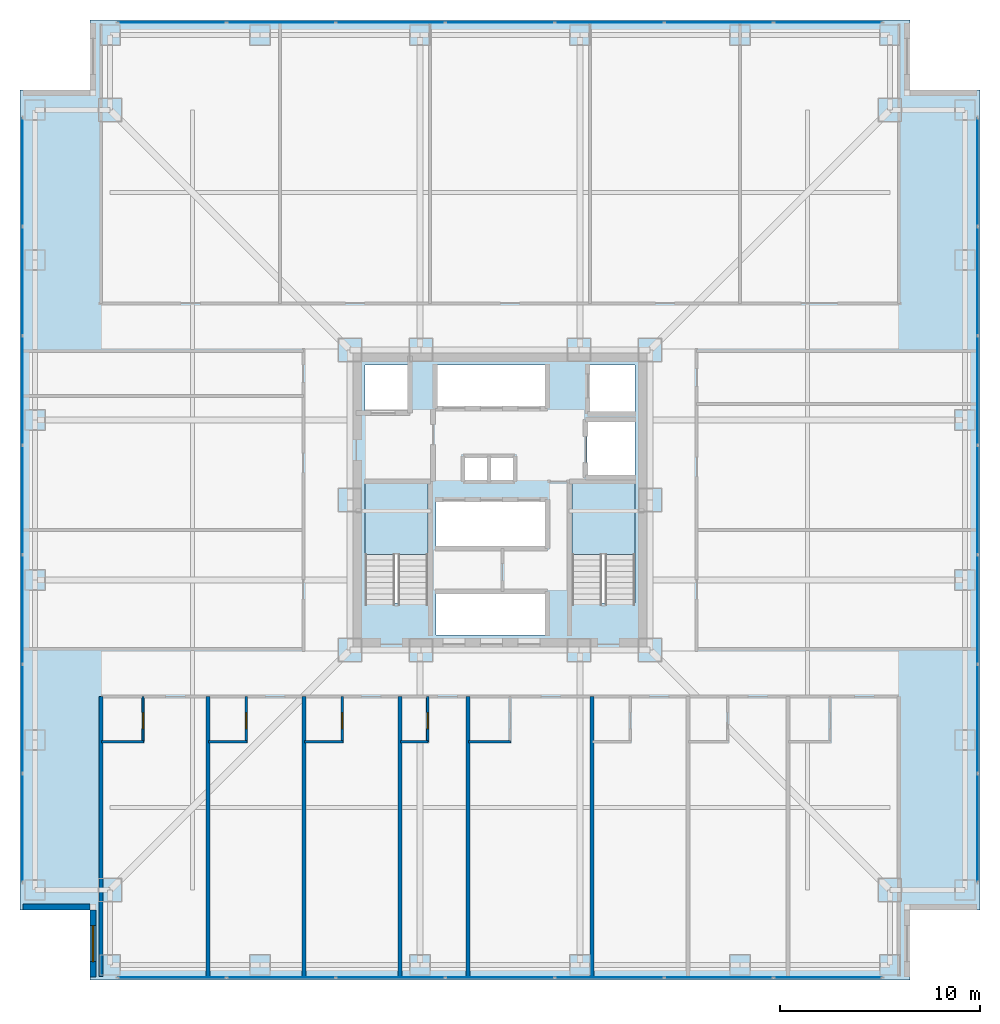
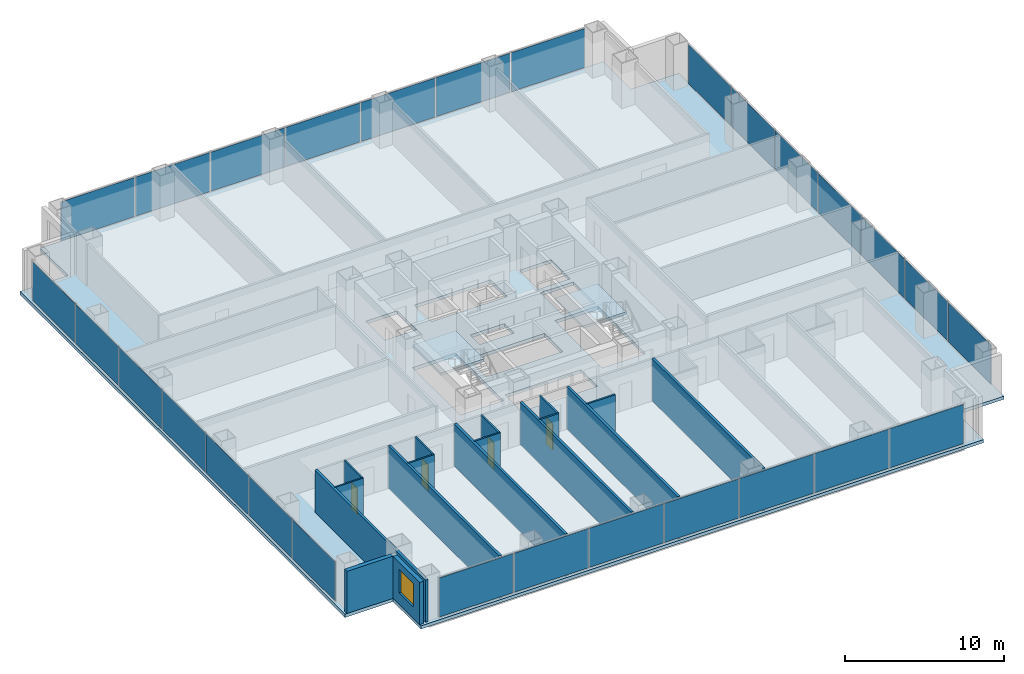
# One storey, part 14 of 20: 28 plates, 17 walls, 4 doors, 3 slabs, 1 window, 5 openings, 6 elements without a shape of their own.
"""IFC4 building model written with IfcOpenShell, lengths in metres."""

from ifc_helpers import new_model, si_unit, direction, frame, frame_2d, origin, origin_2d, place, context, subcontext, project, spatial, polyline, rectangle, outline, extrude, material, layer, layer_set, type_object, element, fill, aggregate, save


model = new_model("IFC4")

# Units and contexts
model_context = context("Model", 3, precision=1e-05, world=origin(), true_north=direction((0.0, 1.0)))
body_context = subcontext(model_context, "Body", "Model", "MODEL_VIEW")
ifc_project = project(units=[si_unit("LENGTHUNIT", "METRE"), si_unit("AREAUNIT", "SQUARE_METRE"), si_unit("VOLUMEUNIT", "CUBIC_METRE"), si_unit("PLANEANGLEUNIT", "RADIAN"), si_unit("MASSUNIT", "GRAM", prefix="KILO")], contexts=[model_context])

# Site, building, storey
site_placement = place(None, origin())
site = spatial("IfcSite", under=ifc_project, at=site_placement, CompositionType="ELEMENT")
building_placement = place(site_placement, origin())
building = spatial("IfcBuilding", under=site, at=building_placement, Name="Trevonay Congress Spire", CompositionType="ELEMENT")
storey_placement = place(building_placement, frame((0.0, 0.0, 62.0)))
storey = spatial("IfcBuildingStorey", under=building, at=storey_placement, Name="L15", CompositionType="ELEMENT", Elevation=62.0)

# Curtain wall, plates
ifc_material_1 = material(Name="Pale Anodised Aluminium EN AW-6063-T6", Category="aluminium")
ifc_layer_1 = layer(ifc_material_1, 0.179931640625, Name="Pale Anodised Aluminium EN AW-6063-T6")
ifc_layer_set_1 = layer_set([ifc_layer_1], Name="Pale Anodised Aluminium EN AW-6063-T6")
curtain_wall_type = type_object("IfcCurtainWallType", Name="CW-SYS02-HOTEL-PALE-METAL", PredefinedType="NOTDEFINED", material=ifc_layer_set_1)
curtain_wall_1_placement = place(storey_placement, origin())
curtain_wall_1 = element("IfcCurtainWall", 1, at=curtain_wall_1_placement, inside=storey, type_object=curtain_wall_type, Name="L15 S unitised curtain wall", PredefinedType="NOTDEFINED")
ifc_material_2 = material(Name="Insulated Low-E Vision Glass IGU", Category="glass")
ifc_layer_2 = layer(ifc_material_2, 0.035888671875, Name="Insulated Low-E Vision Glass IGU")
ifc_layer_set_2 = layer_set([ifc_layer_2], Name="Insulated Low-E Vision Glass IGU")
plate_type = type_object("IfcPlateType", Name="CW-PANEL-IGU36-SILVER", PredefinedType="CURTAIN_PANEL", material=ifc_layer_set_2)
plate_1_placement = place(storey_placement, frame((-16.399169921875, -23.8798828125, 0.1201171875), z_axis=(0.0, 0.0, 1.0), x_axis=(1.0, 0.0, 0.0)))
plate_1 = element("IfcPlate", 2, at=plate_1_placement, type_object=plate_type, Name="CW02 panel 1.1", PredefinedType="CURTAIN_PANEL", context=body_context, shape_type="SweptSolid", body=[
    extrude(rectangle(XDim=5.38134765625, YDim=0.035888671875, at=origin_2d()), origin(), (0.0, 0.0, 1.0), 3.010009765625),
])
plate_2_placement = place(storey_placement, frame((-10.94287109375, -23.8798828125, 0.1201171875), z_axis=(0.0, 0.0, 1.0), x_axis=(1.0, 0.0, 0.0)))
plate_2 = element("IfcPlate", 3, at=plate_2_placement, type_object=plate_type, Name="CW02 panel 2.1", PredefinedType="CURTAIN_PANEL", context=body_context, shape_type="SweptSolid", body=[
    extrude(rectangle(XDim=5.411376953125, YDim=0.035888671875, at=origin_2d()), origin(), (0.0, 0.0, 1.0), 3.010009765625),
])
plate_3_placement = place(storey_placement, frame((-5.471435546875, -23.8798828125, 0.1201171875), z_axis=(0.0, 0.0, 1.0), x_axis=(1.0, 0.0, 0.0)))
plate_3 = element("IfcPlate", 4, at=plate_3_placement, type_object=plate_type, Name="CW02 panel 3.1", PredefinedType="CURTAIN_PANEL", context=body_context, shape_type="SweptSolid", body=[
    extrude(rectangle(XDim=5.411376953125, YDim=0.035888671875, at=origin_2d()), origin(), (0.0, 0.0, 1.0), 3.010009765625),
])
plate_4_placement = place(storey_placement, frame((0.0, -23.8798828125, 0.1201171875), z_axis=(0.0, 0.0, 1.0), x_axis=(1.0, 0.0, 0.0)))
plate_4 = element("IfcPlate", 5, at=plate_4_placement, type_object=plate_type, Name="CW02 panel 4.1", PredefinedType="CURTAIN_PANEL", context=body_context, shape_type="SweptSolid", body=[
    extrude(rectangle(XDim=5.411376953125, YDim=0.035888671875, at=origin_2d()), origin(), (0.0, 0.0, 1.0), 3.010009765625),
])
plate_5_placement = place(storey_placement, frame((5.471435546875, -23.8798828125, 0.1201171875), z_axis=(0.0, 0.0, 1.0), x_axis=(1.0, 0.0, 0.0)))
plate_5 = element("IfcPlate", 6, at=plate_5_placement, type_object=plate_type, Name="CW02 panel 5.1", PredefinedType="CURTAIN_PANEL", context=body_context, shape_type="SweptSolid", body=[
    extrude(rectangle(XDim=5.411376953125, YDim=0.035888671875, at=origin_2d()), origin(), (0.0, 0.0, 1.0), 3.010009765625),
])
plate_6_placement = place(storey_placement, frame((10.94287109375, -23.8798828125, 0.1201171875), z_axis=(0.0, 0.0, 1.0), x_axis=(1.0, 0.0, 0.0)))
plate_6 = element("IfcPlate", 7, at=plate_6_placement, type_object=plate_type, Name="CW02 panel 6.1", PredefinedType="CURTAIN_PANEL", context=body_context, shape_type="SweptSolid", body=[
    extrude(rectangle(XDim=5.411376953125, YDim=0.035888671875, at=origin_2d()), origin(), (0.0, 0.0, 1.0), 3.010009765625),
])
plate_7_placement = place(storey_placement, frame((16.399169921875, -23.8798828125, 0.1201171875), z_axis=(0.0, 0.0, 1.0), x_axis=(1.0, 0.0, 0.0)))
plate_7 = element("IfcPlate", 8, at=plate_7_placement, type_object=plate_type, Name="CW02 panel 7.1", PredefinedType="CURTAIN_PANEL", context=body_context, shape_type="SweptSolid", body=[
    extrude(rectangle(XDim=5.38134765625, YDim=0.035888671875, at=origin_2d()), origin(), (0.0, 0.0, 1.0), 3.010009765625),
])
aggregate(curtain_wall_1, [plate_1, plate_2, plate_3, plate_4, plate_5, plate_6, plate_7])

curtain_wall_2_placement = place(storey_placement, origin())
curtain_wall_2 = element("IfcCurtainWall", 9, at=curtain_wall_2_placement, inside=storey, type_object=curtain_wall_type, Name="L15 N unitised curtain wall", PredefinedType="NOTDEFINED")
plate_8_placement = place(storey_placement, frame((-16.399169921875, 23.8798828125, 0.1201171875), z_axis=(0.0, 0.0, 1.0), x_axis=(1.0, 0.0, 0.0)))
plate_8 = element("IfcPlate", 10, at=plate_8_placement, type_object=plate_type, Name="CW02 panel 1.1", PredefinedType="CURTAIN_PANEL", context=body_context, shape_type="SweptSolid", body=[
    extrude(rectangle(XDim=5.38134765625, YDim=0.035888671875, at=origin_2d()), origin(), (0.0, 0.0, 1.0), 3.010009765625),
])
plate_9_placement = place(storey_placement, frame((-10.94287109375, 23.8798828125, 0.1201171875), z_axis=(0.0, 0.0, 1.0), x_axis=(1.0, 0.0, 0.0)))
plate_9 = element("IfcPlate", 11, at=plate_9_placement, type_object=plate_type, Name="CW02 panel 2.1", PredefinedType="CURTAIN_PANEL", context=body_context, shape_type="SweptSolid", body=[
    extrude(rectangle(XDim=5.411376953125, YDim=0.035888671875, at=origin_2d()), origin(), (0.0, 0.0, 1.0), 3.010009765625),
])
plate_10_placement = place(storey_placement, frame((-5.471435546875, 23.8798828125, 0.1201171875), z_axis=(0.0, 0.0, 1.0), x_axis=(1.0, 0.0, 0.0)))
plate_10 = element("IfcPlate", 12, at=plate_10_placement, type_object=plate_type, Name="CW02 panel 3.1", PredefinedType="CURTAIN_PANEL", context=body_context, shape_type="SweptSolid", body=[
    extrude(rectangle(XDim=5.411376953125, YDim=0.035888671875, at=origin_2d()), origin(), (0.0, 0.0, 1.0), 3.010009765625),
])
plate_11_placement = place(storey_placement, frame((0.0, 23.8798828125, 0.1201171875), z_axis=(0.0, 0.0, 1.0), x_axis=(1.0, 0.0, 0.0)))
plate_11 = element("IfcPlate", 13, at=plate_11_placement, type_object=plate_type, Name="CW02 panel 4.1", PredefinedType="CURTAIN_PANEL", context=body_context, shape_type="SweptSolid", body=[
    extrude(rectangle(XDim=5.411376953125, YDim=0.035888671875, at=origin_2d()), origin(), (0.0, 0.0, 1.0), 3.010009765625),
])
plate_12_placement = place(storey_placement, frame((5.471435546875, 23.8798828125, 0.1201171875), z_axis=(0.0, 0.0, 1.0), x_axis=(1.0, 0.0, 0.0)))
plate_12 = element("IfcPlate", 14, at=plate_12_placement, type_object=plate_type, Name="CW02 panel 5.1", PredefinedType="CURTAIN_PANEL", context=body_context, shape_type="SweptSolid", body=[
    extrude(rectangle(XDim=5.411376953125, YDim=0.035888671875, at=origin_2d()), origin(), (0.0, 0.0, 1.0), 3.010009765625),
])
plate_13_placement = place(storey_placement, frame((10.94287109375, 23.8798828125, 0.1201171875), z_axis=(0.0, 0.0, 1.0), x_axis=(1.0, 0.0, 0.0)))
plate_13 = element("IfcPlate", 15, at=plate_13_placement, type_object=plate_type, Name="CW02 panel 6.1", PredefinedType="CURTAIN_PANEL", context=body_context, shape_type="SweptSolid", body=[
    extrude(rectangle(XDim=5.411376953125, YDim=0.035888671875, at=origin_2d()), origin(), (0.0, 0.0, 1.0), 3.010009765625),
])
plate_14_placement = place(storey_placement, frame((16.399169921875, 23.8798828125, 0.1201171875), z_axis=(0.0, 0.0, 1.0), x_axis=(1.0, 0.0, 0.0)))
plate_14 = element("IfcPlate", 16, at=plate_14_placement, type_object=plate_type, Name="CW02 panel 7.1", PredefinedType="CURTAIN_PANEL", context=body_context, shape_type="SweptSolid", body=[
    extrude(rectangle(XDim=5.38134765625, YDim=0.035888671875, at=origin_2d()), origin(), (0.0, 0.0, 1.0), 3.010009765625),
])
aggregate(curtain_wall_2, [plate_8, plate_9, plate_10, plate_11, plate_12, plate_13, plate_14])

curtain_wall_3_placement = place(storey_placement, origin())
curtain_wall_3 = element("IfcCurtainWall", 17, at=curtain_wall_3_placement, inside=storey, type_object=curtain_wall_type, Name="L15 W unitised curtain wall", PredefinedType="NOTDEFINED")
plate_15_placement = place(storey_placement, frame((-23.8798828125, -16.399169921875, 0.1201171875), z_axis=(0.0, 0.0, 1.0), x_axis=(0.0, 1.0, 0.0)))
plate_15 = element("IfcPlate", 18, at=plate_15_placement, type_object=plate_type, Name="CW02 panel 1.1", PredefinedType="CURTAIN_PANEL", context=body_context, shape_type="SweptSolid", body=[
    extrude(rectangle(XDim=5.38134765625, YDim=0.035888671875, at=origin_2d()), origin(), (0.0, 0.0, 1.0), 3.010009765625),
])
plate_16_placement = place(storey_placement, frame((-23.8798828125, -10.94287109375, 0.1201171875), z_axis=(0.0, 0.0, 1.0), x_axis=(0.0, 1.0, 0.0)))
plate_16 = element("IfcPlate", 19, at=plate_16_placement, type_object=plate_type, Name="CW02 panel 2.1", PredefinedType="CURTAIN_PANEL", context=body_context, shape_type="SweptSolid", body=[
    extrude(rectangle(XDim=5.411376953125, YDim=0.035888671875, at=origin_2d()), origin(), (0.0, 0.0, 1.0), 3.010009765625),
])
plate_17_placement = place(storey_placement, frame((-23.8798828125, -5.471435546875, 0.1201171875), z_axis=(0.0, 0.0, 1.0), x_axis=(0.0, 1.0, 0.0)))
plate_17 = element("IfcPlate", 20, at=plate_17_placement, type_object=plate_type, Name="CW02 panel 3.1", PredefinedType="CURTAIN_PANEL", context=body_context, shape_type="SweptSolid", body=[
    extrude(rectangle(XDim=5.411376953125, YDim=0.035888671875, at=origin_2d()), origin(), (0.0, 0.0, 1.0), 3.010009765625),
])
plate_18_placement = place(storey_placement, frame((-23.8798828125, 0.0, 0.1201171875), z_axis=(0.0, 0.0, 1.0), x_axis=(0.0, 1.0, 0.0)))
plate_18 = element("IfcPlate", 21, at=plate_18_placement, type_object=plate_type, Name="CW02 panel 4.1", PredefinedType="CURTAIN_PANEL", context=body_context, shape_type="SweptSolid", body=[
    extrude(rectangle(XDim=5.411376953125, YDim=0.035888671875, at=origin_2d()), origin(), (0.0, 0.0, 1.0), 3.010009765625),
])
plate_19_placement = place(storey_placement, frame((-23.8798828125, 5.471435546875, 0.1201171875), z_axis=(0.0, 0.0, 1.0), x_axis=(0.0, 1.0, 0.0)))
plate_19 = element("IfcPlate", 22, at=plate_19_placement, type_object=plate_type, Name="CW02 panel 5.1", PredefinedType="CURTAIN_PANEL", context=body_context, shape_type="SweptSolid", body=[
    extrude(rectangle(XDim=5.411376953125, YDim=0.035888671875, at=origin_2d()), origin(), (0.0, 0.0, 1.0), 3.010009765625),
])
plate_20_placement = place(storey_placement, frame((-23.8798828125, 10.94287109375, 0.1201171875), z_axis=(0.0, 0.0, 1.0), x_axis=(0.0, 1.0, 0.0)))
plate_20 = element("IfcPlate", 23, at=plate_20_placement, type_object=plate_type, Name="CW02 panel 6.1", PredefinedType="CURTAIN_PANEL", context=body_context, shape_type="SweptSolid", body=[
    extrude(rectangle(XDim=5.411376953125, YDim=0.035888671875, at=origin_2d()), origin(), (0.0, 0.0, 1.0), 3.010009765625),
])
plate_21_placement = place(storey_placement, frame((-23.8798828125, 16.399169921875, 0.1201171875), z_axis=(0.0, 0.0, 1.0), x_axis=(0.0, 1.0, 0.0)))
plate_21 = element("IfcPlate", 24, at=plate_21_placement, type_object=plate_type, Name="CW02 panel 7.1", PredefinedType="CURTAIN_PANEL", context=body_context, shape_type="SweptSolid", body=[
    extrude(rectangle(XDim=5.38134765625, YDim=0.035888671875, at=origin_2d()), origin(), (0.0, 0.0, 1.0), 3.010009765625),
])
aggregate(curtain_wall_3, [plate_15, plate_16, plate_17, plate_18, plate_19, plate_20, plate_21])

curtain_wall_4_placement = place(storey_placement, origin())
curtain_wall_4 = element("IfcCurtainWall", 25, at=curtain_wall_4_placement, inside=storey, type_object=curtain_wall_type, Name="L15 E unitised curtain wall", PredefinedType="NOTDEFINED")
plate_22_placement = place(storey_placement, frame((23.8798828125, -16.399169921875, 0.1201171875), z_axis=(0.0, 0.0, 1.0), x_axis=(0.0, 1.0, 0.0)))
plate_22 = element("IfcPlate", 26, at=plate_22_placement, type_object=plate_type, Name="CW02 panel 1.1", PredefinedType="CURTAIN_PANEL", context=body_context, shape_type="SweptSolid", body=[
    extrude(rectangle(XDim=5.38134765625, YDim=0.035888671875, at=origin_2d()), origin(), (0.0, 0.0, 1.0), 3.010009765625),
])
plate_23_placement = place(storey_placement, frame((23.8798828125, -10.94287109375, 0.1201171875), z_axis=(0.0, 0.0, 1.0), x_axis=(0.0, 1.0, 0.0)))
plate_23 = element("IfcPlate", 27, at=plate_23_placement, type_object=plate_type, Name="CW02 panel 2.1", PredefinedType="CURTAIN_PANEL", context=body_context, shape_type="SweptSolid", body=[
    extrude(rectangle(XDim=5.411376953125, YDim=0.035888671875, at=origin_2d()), origin(), (0.0, 0.0, 1.0), 3.010009765625),
])
plate_24_placement = place(storey_placement, frame((23.8798828125, -5.471435546875, 0.1201171875), z_axis=(0.0, 0.0, 1.0), x_axis=(0.0, 1.0, 0.0)))
plate_24 = element("IfcPlate", 28, at=plate_24_placement, type_object=plate_type, Name="CW02 panel 3.1", PredefinedType="CURTAIN_PANEL", context=body_context, shape_type="SweptSolid", body=[
    extrude(rectangle(XDim=5.411376953125, YDim=0.035888671875, at=origin_2d()), origin(), (0.0, 0.0, 1.0), 3.010009765625),
])
plate_25_placement = place(storey_placement, frame((23.8798828125, 0.0, 0.1201171875), z_axis=(0.0, 0.0, 1.0), x_axis=(0.0, 1.0, 0.0)))
plate_25 = element("IfcPlate", 29, at=plate_25_placement, type_object=plate_type, Name="CW02 panel 4.1", PredefinedType="CURTAIN_PANEL", context=body_context, shape_type="SweptSolid", body=[
    extrude(rectangle(XDim=5.411376953125, YDim=0.035888671875, at=origin_2d()), origin(), (0.0, 0.0, 1.0), 3.010009765625),
])
plate_26_placement = place(storey_placement, frame((23.8798828125, 5.471435546875, 0.1201171875), z_axis=(0.0, 0.0, 1.0), x_axis=(0.0, 1.0, 0.0)))
plate_26 = element("IfcPlate", 30, at=plate_26_placement, type_object=plate_type, Name="CW02 panel 5.1", PredefinedType="CURTAIN_PANEL", context=body_context, shape_type="SweptSolid", body=[
    extrude(rectangle(XDim=5.411376953125, YDim=0.035888671875, at=origin_2d()), origin(), (0.0, 0.0, 1.0), 3.010009765625),
])
plate_27_placement = place(storey_placement, frame((23.8798828125, 10.94287109375, 0.1201171875), z_axis=(0.0, 0.0, 1.0), x_axis=(0.0, 1.0, 0.0)))
plate_27 = element("IfcPlate", 31, at=plate_27_placement, type_object=plate_type, Name="CW02 panel 6.1", PredefinedType="CURTAIN_PANEL", context=body_context, shape_type="SweptSolid", body=[
    extrude(rectangle(XDim=5.411376953125, YDim=0.035888671875, at=origin_2d()), origin(), (0.0, 0.0, 1.0), 3.010009765625),
])
plate_28_placement = place(storey_placement, frame((23.8798828125, 16.399169921875, 0.1201171875), z_axis=(0.0, 0.0, 1.0), x_axis=(0.0, 1.0, 0.0)))
plate_28 = element("IfcPlate", 32, at=plate_28_placement, type_object=plate_type, Name="CW02 panel 7.1", PredefinedType="CURTAIN_PANEL", context=body_context, shape_type="SweptSolid", body=[
    extrude(rectangle(XDim=5.38134765625, YDim=0.035888671875, at=origin_2d()), origin(), (0.0, 0.0, 1.0), 3.010009765625),
])
aggregate(curtain_wall_4, [plate_22, plate_23, plate_24, plate_25, plate_26, plate_27, plate_28])

# Stair, slab
ifc_material_3 = material(Name="Concrete C40/50", Category="concrete")
stair_type_1 = type_object("IfcStairType", Name="STR-ST-1", PredefinedType="HALF_TURN_STAIR", material=ifc_material_3)
stair_1_placement = place(storey_placement, origin())
stair_1 = element("IfcStair", 33, at=stair_1_placement, inside=storey, type_object=stair_type_1, Name="L15 Protected Exit Stair ST-1", PredefinedType="HALF_TURN_STAIR")
ifc_layer_3 = layer(ifc_material_3, 0.199951171875, Name="Concrete C40/50")
ifc_layer_set_3 = layer_set([ifc_layer_3], Name="Concrete C40/50")
slab_type_1 = type_object("IfcSlabType", Name="SLB-STAIR-LAND-200", PredefinedType="LANDING", material=ifc_layer_set_3)
slab_1_placement = place(storey_placement, frame((0.0, 0.0, 1.550048828125)))
slab_1 = element("IfcSlab", 34, at=slab_1_placement, type_object=slab_type_1, Name="ST-1 landing 1", PredefinedType="LANDING", context=body_context, shape_type="SweptSolid", body=[
    extrude(outline(polyline([(-3.60009765625, -2.72998046875), (-3.60009765625, 0.85009765625), (-6.75, 0.85009765625), (-6.75, -2.72998046875), (-3.60009765625, -2.72998046875)])), origin(), (0.0, 0.0, 1.0), 0.199951171875),
])
aggregate(stair_1, [slab_1])

stair_type_2 = type_object("IfcStairType", Name="STR-ST-2", PredefinedType="HALF_TURN_STAIR", material=ifc_material_3)
stair_2_placement = place(storey_placement, origin())
stair_2 = element("IfcStair", 35, at=stair_2_placement, inside=storey, type_object=stair_type_2, Name="L15 Protected Exit Stair ST-2", PredefinedType="HALF_TURN_STAIR")
slab_2_placement = place(storey_placement, frame((0.0, 0.0, 1.550048828125)))
slab_2 = element("IfcSlab", 36, at=slab_2_placement, type_object=slab_type_1, Name="ST-2 landing 1", PredefinedType="LANDING", context=body_context, shape_type="SweptSolid", body=[
    extrude(outline(polyline([(6.75, -2.72998046875), (6.75, 0.85009765625), (3.60009765625, 0.85009765625), (3.60009765625, -2.72998046875), (6.75, -2.72998046875)])), origin(), (0.0, 0.0, 1.0), 0.199951171875),
])
aggregate(stair_2, [slab_2])

# Slab
ifc_layer_4 = layer(ifc_material_3, 0.25, Name="Concrete C40/50")
ifc_layer_set_4 = layer_set([ifc_layer_4], Name="Concrete C40/50")
slab_type_2 = type_object("IfcSlabType", Name="SLB-TOW1-250", PredefinedType="FLOOR", material=ifc_layer_set_4)
slab_3_placement = place(storey_placement, frame((0.0, 0.0, -0.25)))
element("IfcSlab", 37, at=slab_3_placement, inside=storey, type_object=slab_type_2, Name="L15 structural floor slab", PredefinedType="FLOOR", context=body_context, shape_type="SweptSolid", body=[
    extrude(outline(polyline([(-20.5, -24.0), (20.5, -24.0), (20.5, -20.5), (24.0, -20.5), (24.0, 20.5), (20.5, 20.5), (20.5, 24.0), (-20.5, 24.0), (-20.5, 20.5), (-24.0, 20.5), (-24.0, -20.5), (-20.5, -20.5), (-20.5, -24.0)]), holes=[polyline([(-3.60009765625, -5.14990234375), (-3.60009765625, 0.85009765625), (-6.75, 0.85009765625), (-6.75, -5.14990234375), (-3.60009765625, -5.14990234375)]), polyline([(6.75, -5.14990234375), (6.75, 0.85009765625), (3.60009765625, 0.85009765625), (3.60009765625, -5.14990234375), (6.75, -5.14990234375)]), polyline([(-3.199951171875, -6.75), (2.340087890625, -6.75), (2.340087890625, -4.64990234375), (-3.199951171875, -4.64990234375), (-3.199951171875, -6.75)]), polyline([(-3.199951171875, -2.35009765625), (2.340087890625, -2.35009765625), (2.340087890625, -0.050048828125), (-3.199951171875, -0.050048828125), (-3.199951171875, -2.35009765625)]), polyline([(-3.199951171875, 4.64990234375), (2.340087890625, 4.64990234375), (2.340087890625, 6.75), (-3.199951171875, 6.75), (-3.199951171875, 4.64990234375)]), polyline([(-6.75, 4.35009765625), (-4.449951171875, 4.35009765625), (-4.449951171875, 6.75), (-6.75, 6.75), (-6.75, 4.35009765625)]), polyline([(4.449951171875, 4.35009765625), (6.75, 4.35009765625), (6.75, 6.75), (4.449951171875, 6.75), (4.449951171875, 4.35009765625)]), polyline([(4.35009765625, 1.199951171875), (6.75, 1.199951171875), (6.75, 3.949951171875), (4.35009765625, 3.949951171875), (4.35009765625, 1.199951171875)]), polyline([(-1.800048828125, 0.949951171875), (0.699951171875, 0.949951171875), (0.699951171875, 2.14990234375), (-1.800048828125, 2.14990234375), (-1.800048828125, 0.949951171875)])]), origin(), (0.0, 0.0, 1.0), 0.25),
])

# Wall, opening, door
ifc_layer_5 = layer(ifc_material_3, 0.1201171875, Name="Concrete C40/50")
ifc_layer_set_5 = layer_set([ifc_layer_5], Name="Concrete C40/50")
wall_type_1 = type_object("IfcWallType", Name="WAL-BATH-120", PredefinedType="PLUMBINGWALL", material=ifc_layer_set_5)
wall_1_placement = place(storey_placement, frame((-17.85009765625, -12.080078125, 0.0), z_axis=(0.0, 0.0, 1.0), x_axis=(0.0, 1.0, 0.0)))
wall_1 = element("IfcWall", 38, at=wall_1_placement, inside=storey, type_object=wall_type_1, Name="L15 interior wall WH-L15S-BS1", PredefinedType="PLUMBINGWALL", context=body_context, shape_type="SweptSolid", body=[
    extrude(rectangle(XDim=2.25, YDim=0.1201171875, at=frame_2d((1.125, 0.0))), origin(), (0.0, 0.0, 1.0), 3.25),
])
opening_1_placement = place(wall_1_placement, frame((0.64990234375, 0.0, 0.0)))
opening_1 = element("IfcOpeningElement", 39, at=opening_1_placement, cuts=wall_1, Name="Opening D11", PredefinedType="OPENING", context=body_context, shape_type="SweptSolid", body=[
    extrude(rectangle(XDim=0.800048828125, YDim=2.050048828125, at=frame_2d((0.39990234375, 1.02490234375))), frame((0.0, 0.070068359375, 0.0), z_axis=(0.0, -1.0, 0.0), x_axis=(1.0, 0.0, 0.0)), (0.0, 0.0, 1.0), 0.14013671875),
])
door_type = type_object("IfcDoorType", Name="DOR-BATH-80", OperationType="NOTDEFINED", PredefinedType="DOOR", material=ifc_material_1)
door_1_placement = place(opening_1_placement, origin())
door_1 = element("IfcDoor", 40, at=door_1_placement, inside=storey, type_object=door_type, Name="L15 En-suite Bathroom Door", OperationType="SINGLE_SWING_LEFT", OverallHeight=2.050048828125, OverallWidth=0.800048828125, PredefinedType="DOOR", context=body_context, shape_type="SweptSolid", body=[
    extrude(rectangle(XDim=0.800048828125, YDim=2.050048828125, at=frame_2d((0.39990234375, 1.02490234375))), frame((0.0, 0.02490234375, 0.0), z_axis=(0.0, -1.0, 0.0), x_axis=(1.0, 0.0, 0.0)), (0.0, 0.0, 1.0), 0.050048828125),
])
fill(opening_1, door_1)

# Wall
wall_2_placement = place(storey_placement, frame((-19.919921875, -12.080078125, 0.0), z_axis=(0.0, 0.0, 1.0), x_axis=(1.0, 0.0, 0.0)))
element("IfcWall", 41, at=wall_2_placement, inside=storey, type_object=wall_type_1, Name="L15 interior wall WH-L15S-BF1", PredefinedType="PLUMBINGWALL", context=body_context, shape_type="SweptSolid", body=[
    extrude(rectangle(XDim=2.099853515625, YDim=0.1201171875, at=frame_2d((1.0498046875, 0.0))), origin(), (0.0, 0.0, 1.0), 3.25),
])

# Wall, opening, door
wall_3_placement = place(storey_placement, frame((-12.68701171875, -12.080078125, 0.0), z_axis=(0.0, 0.0, 1.0), x_axis=(0.0, 1.0, 0.0)))
wall_3 = element("IfcWall", 42, at=wall_3_placement, inside=storey, type_object=wall_type_1, Name="L15 interior wall WH-L15S-BS2", PredefinedType="PLUMBINGWALL", context=body_context, shape_type="SweptSolid", body=[
    extrude(rectangle(XDim=2.25, YDim=0.1201171875, at=frame_2d((1.125, 0.0))), origin(), (0.0, 0.0, 1.0), 3.25),
])
opening_2_placement = place(wall_3_placement, frame((0.64990234375, 0.0, 0.0)))
opening_2 = element("IfcOpeningElement", 43, at=opening_2_placement, cuts=wall_3, Name="Opening D11", PredefinedType="OPENING", context=body_context, shape_type="SweptSolid", body=[
    extrude(rectangle(XDim=0.800048828125, YDim=2.050048828125, at=frame_2d((0.39990234375, 1.02490234375))), frame((0.0, 0.070068359375, 0.0), z_axis=(0.0, -1.0, 0.0), x_axis=(1.0, 0.0, 0.0)), (0.0, 0.0, 1.0), 0.14013671875),
])
door_2_placement = place(opening_2_placement, origin())
door_2 = element("IfcDoor", 44, at=door_2_placement, inside=storey, type_object=door_type, Name="L15 En-suite Bathroom Door", OperationType="SINGLE_SWING_RIGHT", OverallHeight=2.050048828125, OverallWidth=0.800048828125, PredefinedType="DOOR", context=body_context, shape_type="SweptSolid", body=[
    extrude(rectangle(XDim=0.800048828125, YDim=2.050048828125, at=frame_2d((0.39990234375, 1.02490234375))), frame((0.0, 0.02490234375, 0.0), z_axis=(0.0, -1.0, 0.0), x_axis=(1.0, 0.0, 0.0)), (0.0, 0.0, 1.0), 0.050048828125),
])
fill(opening_2, door_2)

# Wall
wall_4_placement = place(storey_placement, frame((-14.570068359375, -12.080078125, 0.0), z_axis=(0.0, 0.0, 1.0), x_axis=(1.0, 0.0, 0.0)))
element("IfcWall", 45, at=wall_4_placement, inside=storey, type_object=wall_type_1, Name="L15 interior wall WH-L15S-BF2", PredefinedType="PLUMBINGWALL", context=body_context, shape_type="SweptSolid", body=[
    extrude(rectangle(XDim=1.9130859375, YDim=0.1201171875, at=frame_2d((0.95654296875, 0.0))), origin(), (0.0, 0.0, 1.0), 3.25),
])

# Wall, opening, door
wall_5_placement = place(storey_placement, frame((-7.886962890625, -12.080078125, 0.0), z_axis=(0.0, 0.0, 1.0), x_axis=(0.0, 1.0, 0.0)))
wall_5 = element("IfcWall", 46, at=wall_5_placement, inside=storey, type_object=wall_type_1, Name="L15 interior wall WH-L15S-BS3", PredefinedType="PLUMBINGWALL", context=body_context, shape_type="SweptSolid", body=[
    extrude(rectangle(XDim=2.25, YDim=0.1201171875, at=frame_2d((1.125, 0.0))), origin(), (0.0, 0.0, 1.0), 3.25),
])
opening_3_placement = place(wall_5_placement, frame((0.64990234375, 0.0, 0.0)))
opening_3 = element("IfcOpeningElement", 47, at=opening_3_placement, cuts=wall_5, Name="Opening D11", PredefinedType="OPENING", context=body_context, shape_type="SweptSolid", body=[
    extrude(rectangle(XDim=0.800048828125, YDim=2.050048828125, at=frame_2d((0.39990234375, 1.02490234375))), frame((0.0, 0.070068359375, 0.0), z_axis=(0.0, -1.0, 0.0), x_axis=(1.0, 0.0, 0.0)), (0.0, 0.0, 1.0), 0.14013671875),
])
door_3_placement = place(opening_3_placement, origin())
door_3 = element("IfcDoor", 48, at=door_3_placement, inside=storey, type_object=door_type, Name="L15 En-suite Bathroom Door", OperationType="SINGLE_SWING_LEFT", OverallHeight=2.050048828125, OverallWidth=0.800048828125, PredefinedType="DOOR", context=body_context, shape_type="SweptSolid", body=[
    extrude(rectangle(XDim=0.800048828125, YDim=2.050048828125, at=frame_2d((0.39990234375, 1.02490234375))), frame((0.0, 0.02490234375, 0.0), z_axis=(0.0, -1.0, 0.0), x_axis=(1.0, 0.0, 0.0)), (0.0, 0.0, 1.0), 0.050048828125),
])
fill(opening_3, door_3)

# Wall
wall_6_placement = place(storey_placement, frame((-9.77001953125, -12.080078125, 0.0), z_axis=(0.0, 0.0, 1.0), x_axis=(1.0, 0.0, 0.0)))
element("IfcWall", 49, at=wall_6_placement, inside=storey, type_object=wall_type_1, Name="L15 interior wall WH-L15S-BF3", PredefinedType="PLUMBINGWALL", context=body_context, shape_type="SweptSolid", body=[
    extrude(rectangle(XDim=1.9130859375, YDim=0.1201171875, at=frame_2d((0.95654296875, 0.0))), origin(), (0.0, 0.0, 1.0), 3.25),
])

# Wall, opening, door
wall_7_placement = place(storey_placement, frame((-3.618896484375, -12.080078125, 0.0), z_axis=(0.0, 0.0, 1.0), x_axis=(0.0, 1.0, 0.0)))
wall_7 = element("IfcWall", 50, at=wall_7_placement, inside=storey, type_object=wall_type_1, Name="L15 interior wall WH-L15S-BS4", PredefinedType="PLUMBINGWALL", context=body_context, shape_type="SweptSolid", body=[
    extrude(rectangle(XDim=2.25, YDim=0.1201171875, at=frame_2d((1.125, 0.0))), origin(), (0.0, 0.0, 1.0), 3.25),
])
opening_4_placement = place(wall_7_placement, frame((0.64990234375, 0.0, 0.0)))
opening_4 = element("IfcOpeningElement", 51, at=opening_4_placement, cuts=wall_7, Name="Opening D11", PredefinedType="OPENING", context=body_context, shape_type="SweptSolid", body=[
    extrude(rectangle(XDim=0.800048828125, YDim=2.050048828125, at=frame_2d((0.39990234375, 1.02490234375))), frame((0.0, 0.070068359375, 0.0), z_axis=(0.0, -1.0, 0.0), x_axis=(1.0, 0.0, 0.0)), (0.0, 0.0, 1.0), 0.14013671875),
])
door_4_placement = place(opening_4_placement, origin())
door_4 = element("IfcDoor", 52, at=door_4_placement, inside=storey, type_object=door_type, Name="L15 En-suite Bathroom Door", OperationType="SINGLE_SWING_RIGHT", OverallHeight=2.050048828125, OverallWidth=0.800048828125, PredefinedType="DOOR", context=body_context, shape_type="SweptSolid", body=[
    extrude(rectangle(XDim=0.800048828125, YDim=2.050048828125, at=frame_2d((0.39990234375, 1.02490234375))), frame((0.0, 0.02490234375, 0.0), z_axis=(0.0, -1.0, 0.0), x_axis=(1.0, 0.0, 0.0)), (0.0, 0.0, 1.0), 0.050048828125),
])
fill(opening_4, door_4)

# Walls
wall_8_placement = place(storey_placement, frame((-4.969970703125, -12.080078125, 0.0), z_axis=(0.0, 0.0, 1.0), x_axis=(1.0, 0.0, 0.0)))
element("IfcWall", 53, at=wall_8_placement, inside=storey, type_object=wall_type_1, Name="L15 interior wall WH-L15S-BF4", PredefinedType="PLUMBINGWALL", context=body_context, shape_type="SweptSolid", body=[
    extrude(rectangle(XDim=1.380859375, YDim=0.1201171875, at=frame_2d((0.6904296875, 0.0))), origin(), (0.0, 0.0, 1.0), 3.25),
])
wall_9_placement = place(storey_placement, frame((-1.570068359375, -12.080078125, 0.0), z_axis=(0.0, 0.0, 1.0), x_axis=(1.0, 0.0, 0.0)))
element("IfcWall", 54, at=wall_9_placement, inside=storey, type_object=wall_type_1, Name="L15 interior wall WH-L15S-BF5", PredefinedType="PLUMBINGWALL", context=body_context, shape_type="SweptSolid", body=[
    extrude(rectangle(XDim=2.10009765625, YDim=0.1201171875, at=frame_2d((1.050048828125, 0.0))), origin(), (0.0, 0.0, 1.0), 3.25),
])

# Wall, opening, window
ifc_material_4 = material(Name="Precast concrete C40/50", Category="concrete")
ifc_layer_6 = layer(ifc_material_4, 0.300048828125, Name="Precast concrete C40/50")
ifc_layer_set_6 = layer_set([ifc_layer_6], Name="Precast concrete C40/50")
wall_type_2 = type_object("IfcWallType", Name="WAL-EXT-PRECAST-300", PredefinedType="SOLIDWALL", material=ifc_layer_set_6)
wall_10_placement = place(storey_placement, frame((-20.35009765625, -23.85009765625, 0.0), z_axis=(0.0, 0.0, 1.0), x_axis=(0.0, 1.0, 0.0)))
wall_10 = element("IfcWall", 55, at=wall_10_placement, inside=storey, type_object=wall_type_2, Name="L15 SW re-entrant notch exterior wall 1", PredefinedType="SOLIDWALL", context=body_context, shape_type="SweptSolid", body=[
    extrude(rectangle(XDim=3.35009765625, YDim=0.300048828125, at=frame_2d((1.675048828125, 0.0))), origin(), (0.0, 0.0, 1.0), 3.25),
])
opening_5_placement = place(wall_10_placement, frame((0.77490234375, 0.0, 0.89990234375)))
opening_5 = element("IfcOpeningElement", 56, at=opening_5_placement, cuts=wall_10, Name="Opening WN01", PredefinedType="OPENING", context=body_context, shape_type="SweptSolid", body=[
    extrude(rectangle(XDim=1.800048828125, YDim=1.800048828125, at=frame_2d((0.89990234375, 0.89990234375))), frame((0.0, 0.16015625, 0.0), z_axis=(0.0, -1.0, 0.0), x_axis=(1.0, 0.0, 0.0)), (0.0, 0.0, 1.0), 0.320068359375),
])
window_type = type_object("IfcWindowType", Name="WIN-HOTEL-180X180", PartitioningType="SINGLE_PANEL", PredefinedType="WINDOW", material=ifc_material_2)
window_placement = place(opening_5_placement, origin())
window = element("IfcWindow", 57, at=window_placement, inside=storey, type_object=window_type, Name="L15 SW corner notch window", OverallHeight=1.800048828125, OverallWidth=1.800048828125, PartitioningType="SINGLE_PANEL", PredefinedType="WINDOW", context=body_context, shape_type="SweptSolid", body=[
    extrude(rectangle(XDim=1.800048828125, YDim=1.800048828125, at=frame_2d((0.89990234375, 0.89990234375))), frame((0.0, 0.030029296875, 0.0), z_axis=(0.0, -1.0, 0.0), x_axis=(1.0, 0.0, 0.0)), (0.0, 0.0, 1.0), 0.06005859375),
])
fill(opening_5, window)

# Walls
wall_11_placement = place(storey_placement, frame((-23.85009765625, -20.35009765625, 0.0), z_axis=(0.0, 0.0, 1.0), x_axis=(1.0, 0.0, 0.0)))
element("IfcWall", 58, at=wall_11_placement, inside=storey, type_object=wall_type_2, Name="L15 SW re-entrant notch exterior wall 2", PredefinedType="SOLIDWALL", context=body_context, shape_type="SweptSolid", body=[
    extrude(rectangle(XDim=3.35009765625, YDim=0.300048828125, at=frame_2d((1.675048828125, 0.0))), origin(), (0.0, 0.0, 1.0), 3.25),
])
ifc_layer_7 = layer(ifc_material_3, 0.179931640625, Name="Concrete C40/50")
ifc_layer_set_7 = layer_set([ifc_layer_7], Name="Concrete C40/50")
wall_type_3 = type_object("IfcWallType", Name="WAL-HOTEL-180", PredefinedType="PARTITIONING", material=ifc_layer_set_7)
for number, where, z_axis, x_axis, name in (
    (59, (-19.949951171875, -23.820068359375, 0.0), (0.0, 0.0, 1.0), (0.0, 1.0, 0.0), "L15 interior wall WH-L15S-DIV1"),
    (60, (-14.60009765625, -23.820068359375, 0.0), (0.0, 0.0, 1.0), (0.0, 1.0, 0.0), "L15 interior wall WH-L15S-DIV2"),
    (61, (-9.800048828125, -23.820068359375, 0.0), (0.0, 0.0, 1.0), (0.0, 1.0, 0.0), "L15 interior wall WH-L15S-DIV3"),
    (62, (-5.0, -23.820068359375, 0.0), (0.0, 0.0, 1.0), (0.0, 1.0, 0.0), "L15 interior wall WH-L15S-DIV4"),
    (63, (-1.60009765625, -23.820068359375, 0.0), (0.0, 0.0, 1.0), (0.0, 1.0, 0.0), "L15 interior wall WH-L15S-DIV5"),
    (64, (4.60009765625, -23.820068359375, 0.0), (0.0, 0.0, 1.0), (0.0, 1.0, 0.0), "L15 interior wall WH-L15S-DIV6"),
):
    element("IfcWall", number, at=place(storey_placement, frame(where, z_axis=z_axis, x_axis=x_axis)), inside=storey, type_object=wall_type_3, Name=name, PredefinedType="PARTITIONING", context=body_context, shape_type="SweptSolid", body=[
        extrude(rectangle(XDim=13.989990234375, YDim=0.179931640625, at=frame_2d((6.9951171875, 0.0))), origin(), (0.0, 0.0, 1.0), 3.25),
    ])

save(model, "model.ifc")
